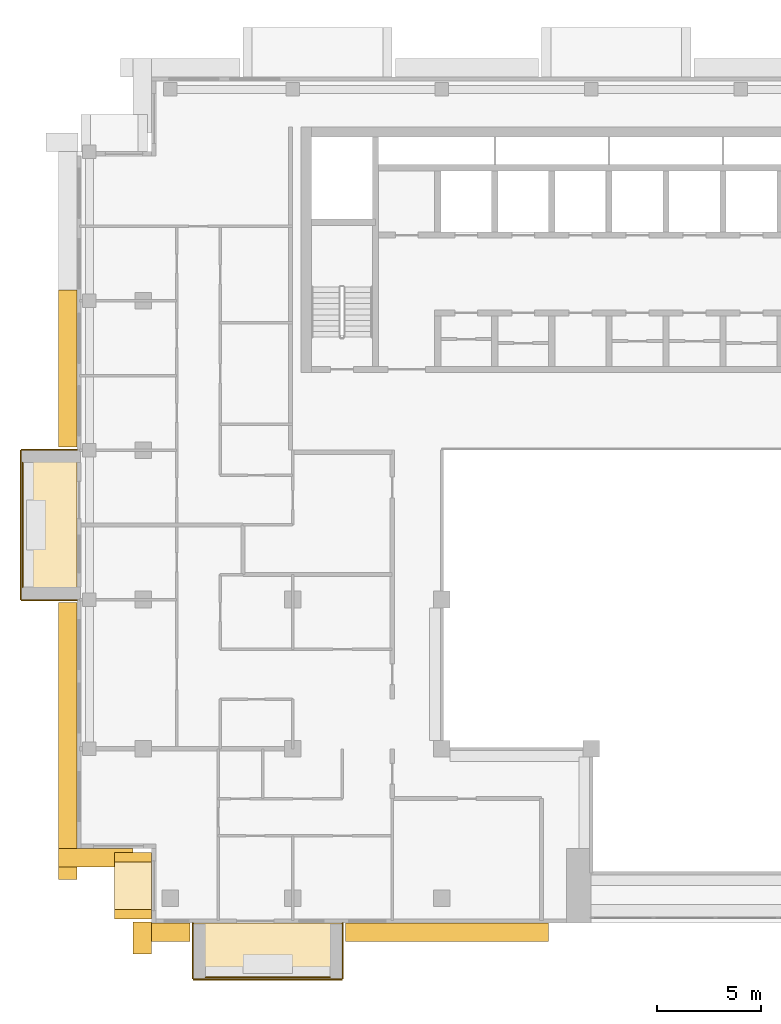
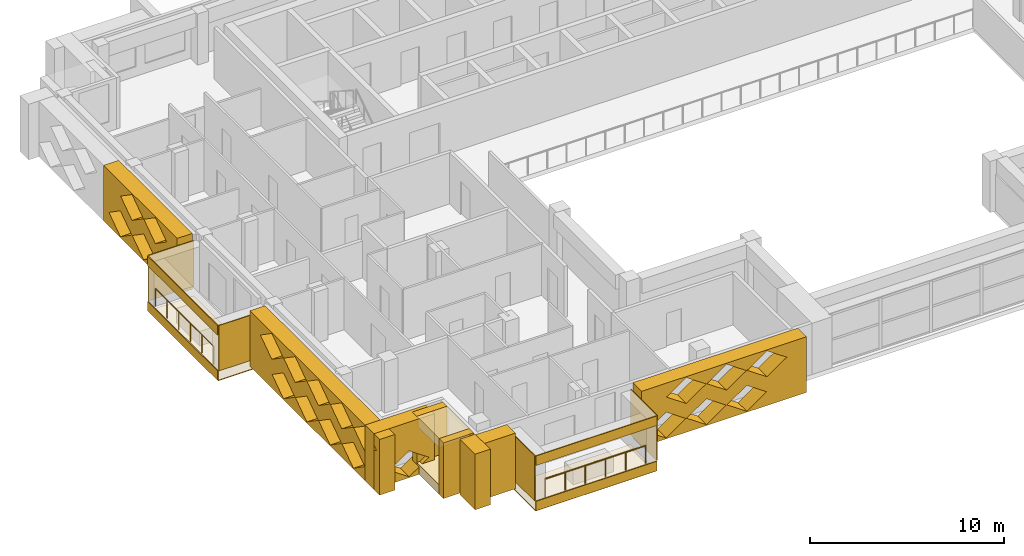
# One storey, part 13 of 19: 20 coverings, 2 railings.
"""IFC4 building model written with IfcOpenShell, lengths in metres."""

from ifc_helpers import new_model, si_unit, direction, frame, origin, origin_2d, place, context, subcontext, project, spatial, polyline, circle, outline, extrude, material, layer, layer_set, type_object, element, save


model = new_model("IFC4")

# Units and contexts
model_context = context("Model", 3, precision=1e-05, world=origin(), true_north=direction((0.0, 1.0)))
body_context = subcontext(model_context, "Body", "Model", "MODEL_VIEW")
ifc_project = project(units=[si_unit("LENGTHUNIT", "METRE"), si_unit("AREAUNIT", "SQUARE_METRE"), si_unit("VOLUMEUNIT", "CUBIC_METRE"), si_unit("PLANEANGLEUNIT", "RADIAN"), si_unit("MASSUNIT", "GRAM", prefix="KILO")], contexts=[model_context])

# Site, building, storey
site_placement = place(None, origin())
site = spatial("IfcSite", under=ifc_project, at=site_placement, CompositionType="ELEMENT")
building_placement = place(site_placement, origin())
building = spatial("IfcBuilding", under=site, at=building_placement, Name="Saffron Iwan Residences", CompositionType="ELEMENT")
storey_placement = place(building_placement, frame((0.0, 0.0, 236.0)))
storey = spatial("IfcBuildingStorey", under=building, at=storey_placement, Name="L63", CompositionType="ELEMENT", Elevation=236.0)

# Railings
ifc_material_1 = material(Name="Stainless steel 316", Category="steel")
railing_type = type_object("IfcRailingType", Name="BALCONY GUARD 1150", PredefinedType="GUARDRAIL", material=ifc_material_1)
railing_1_placement = place(storey_placement, frame((15.77490234375, 61.800048828125, 0.0)))
element("IfcRailing", 1, at=railing_1_placement, inside=storey, type_object=railing_type, Name="Balcony guard L63 F8-0", PredefinedType="GUARDRAIL", context=body_context, shape_type="SweptSolid", body=[
    extrude(circle(Radius=0.02392578125, at=origin_2d()), frame((0.0, 0.0, 1.1259765625), z_axis=(0.0, -1.0, 0.0), x_axis=(1.0, 0.0, 0.0)), (0.0, 0.0, 1.0), 6.0),
    extrude(circle(Radius=0.02099609375, at=origin_2d()), origin(), (0.0, 0.0, 1.0), 1.101806640625),
    extrude(circle(Radius=0.02099609375, at=origin_2d()), frame((0.0, -1.199951171875, 0.0)), (0.0, 0.0, 1.0), 1.101806640625),
    extrude(circle(Radius=0.02099609375, at=origin_2d()), frame((0.0, -2.39990234375, 0.0)), (0.0, 0.0, 1.0), 1.101806640625),
    extrude(circle(Radius=0.02099609375, at=origin_2d()), frame((0.0, -3.60009765625, 0.0)), (0.0, 0.0, 1.0), 1.101806640625),
    extrude(circle(Radius=0.02099609375, at=origin_2d()), frame((0.0, -4.800048828125, 0.0)), (0.0, 0.0, 1.0), 1.101806640625),
    extrude(circle(Radius=0.02099609375, at=origin_2d()), frame((0.0, -6.0, 0.0)), (0.0, 0.0, 1.0), 1.101806640625),
])
railing_2_placement = place(storey_placement, frame((24.60009765625, 36.97509765625, 0.0)))
element("IfcRailing", 2, at=railing_2_placement, inside=storey, type_object=railing_type, Name="Balcony guard L63 11-0", PredefinedType="GUARDRAIL", context=body_context, shape_type="SweptSolid", body=[
    extrude(circle(Radius=0.02392578125, at=origin_2d()), frame((0.0, 0.0, 1.1259765625), z_axis=(1.0, 0.0, 0.0), x_axis=(0.0, 1.0, 0.0)), (0.0, 0.0, 1.0), 6.0),
    extrude(circle(Radius=0.02099609375, at=origin_2d()), origin(), (0.0, 0.0, 1.0), 1.101806640625),
    extrude(circle(Radius=0.02099609375, at=origin_2d()), frame((1.199951171875, 0.0, 0.0)), (0.0, 0.0, 1.0), 1.101806640625),
    extrude(circle(Radius=0.02099609375, at=origin_2d()), frame((2.39990234375, 0.0, 0.0)), (0.0, 0.0, 1.0), 1.101806640625),
    extrude(circle(Radius=0.02099609375, at=origin_2d()), frame((3.60009765625, 0.0, 0.0)), (0.0, 0.0, 1.0), 1.101806640625),
    extrude(circle(Radius=0.02099609375, at=origin_2d()), frame((4.800048828125, 0.0, 0.0)), (0.0, 0.0, 1.0), 1.101806640625),
    extrude(circle(Radius=0.02099609375, at=origin_2d()), frame((6.0, 0.0, 0.0)), (0.0, 0.0, 1.0), 1.101806640625),
])

# Coverings
ifc_material_2 = material(Name="Precast concrete C40/50 white painted", Category="concrete")
ifc_layer = layer(ifc_material_2, 0.050048828125)
ifc_layer_set = layer_set([ifc_layer], Name="Precast concrete C40/50 white painted")
covering_type_1 = type_object("IfcCoveringType", Name="FRAME SKIN PRECAST WHITE 50", PredefinedType="CLADDING", material=ifc_layer_set)
for number, where, name in (
    (3, (0.0, 0.0, -0.60009765625), "Frame skin slab edge L63 F8-0"),
    (4, (0.0, 0.0, 2.25), "Frame skin fascia L63 F8-0"),
):
    element("IfcCovering", number, at=place(storey_placement, frame(where)), inside=storey, type_object=covering_type_1, Name=name, PredefinedType="CLADDING", context=body_context, shape_type="SweptSolid", body=[
        extrude(outline(polyline([(15.64990234375, 62.39990234375), (15.64990234375, 55.199951171875), (15.699951171875, 55.199951171875), (15.699951171875, 62.39990234375), (15.64990234375, 62.39990234375)])), origin(), (0.0, 0.0, 1.0), 0.60009765625),
    ])
covering_1_placement = place(storey_placement, frame((0.0, 0.0, -0.64990234375)))
element("IfcCovering", 5, at=covering_1_placement, inside=storey, type_object=covering_type_1, Name="Frame skin soffit L63 F8-0", PredefinedType="CLADDING", context=body_context, shape_type="SweptSolid", body=[
    extrude(outline(polyline([(15.699951171875, 62.39990234375), (15.699951171875, 55.199951171875), (18.39990234375, 55.199951171875), (18.39990234375, 62.39990234375), (15.699951171875, 62.39990234375)])), origin(), (0.0, 0.0, 1.0), 0.0498046875),
])
covering_2_placement = place(storey_placement, origin())
element("IfcCovering", 6, at=covering_2_placement, inside=storey, type_object=covering_type_1, Name="Frame skin fin L63 F8-0a", PredefinedType="CLADDING", context=body_context, shape_type="SweptSolid", body=[
    extrude(outline(polyline([(15.699951171875, 62.449951171875), (15.699951171875, 62.39990234375), (18.39990234375, 62.39990234375), (18.39990234375, 62.449951171875), (15.699951171875, 62.449951171875)])), origin(), (0.0, 0.0, 1.0), 2.85009765625),
])
covering_3_placement = place(storey_placement, origin())
element("IfcCovering", 7, at=covering_3_placement, inside=storey, type_object=covering_type_1, Name="Frame skin fin L63 F8-0b", PredefinedType="CLADDING", context=body_context, shape_type="SweptSolid", body=[
    extrude(outline(polyline([(15.699951171875, 55.199951171875), (15.699951171875, 55.14990234375), (18.39990234375, 55.14990234375), (18.39990234375, 55.199951171875), (15.699951171875, 55.199951171875)])), origin(), (0.0, 0.0, 1.0), 2.85009765625),
])
for number, where, name in (
    (8, (0.0, 0.0, -0.60009765625), "Frame skin slab edge L63 11-0"),
    (9, (0.0, 0.0, 2.25), "Frame skin fascia L63 11-0"),
):
    element("IfcCovering", number, at=place(storey_placement, frame(where)), inside=storey, type_object=covering_type_1, Name=name, PredefinedType="CLADDING", context=body_context, shape_type="SweptSolid", body=[
        extrude(outline(polyline([(24.0, 36.85009765625), (31.199951171875, 36.85009765625), (31.199951171875, 36.89990234375), (24.0, 36.89990234375), (24.0, 36.85009765625)])), origin(), (0.0, 0.0, 1.0), 0.60009765625),
    ])
covering_4_placement = place(storey_placement, frame((0.0, 0.0, -0.64990234375)))
element("IfcCovering", 10, at=covering_4_placement, inside=storey, type_object=covering_type_1, Name="Frame skin soffit L63 11-0", PredefinedType="CLADDING", context=body_context, shape_type="SweptSolid", body=[
    extrude(outline(polyline([(24.0, 36.89990234375), (31.199951171875, 36.89990234375), (31.199951171875, 39.60009765625), (24.0, 39.60009765625), (24.0, 36.89990234375)])), origin(), (0.0, 0.0, 1.0), 0.0498046875),
])
covering_5_placement = place(storey_placement, origin())
element("IfcCovering", 11, at=covering_5_placement, inside=storey, type_object=covering_type_1, Name="Frame skin fin L63 11-0a", PredefinedType="CLADDING", context=body_context, shape_type="SweptSolid", body=[
    extrude(outline(polyline([(23.949951171875, 36.89990234375), (24.0, 36.89990234375), (24.0, 39.60009765625), (23.949951171875, 39.60009765625), (23.949951171875, 36.89990234375)])), origin(), (0.0, 0.0, 1.0), 2.85009765625),
])
covering_6_placement = place(storey_placement, origin())
element("IfcCovering", 12, at=covering_6_placement, inside=storey, type_object=covering_type_1, Name="Frame skin fin L63 11-0b", PredefinedType="CLADDING", context=body_context, shape_type="SweptSolid", body=[
    extrude(outline(polyline([(31.199951171875, 36.89990234375), (31.25, 36.89990234375), (31.25, 39.60009765625), (31.199951171875, 39.60009765625), (31.199951171875, 36.89990234375)])), origin(), (0.0, 0.0, 1.0), 2.85009765625),
])
ifc_material_3 = material(Name="Precast concrete C40/50", Category="concrete")
covering_type_2 = type_object("IfcCoveringType", Name="OUTER SKIN LATTICE SCREEN", PredefinedType="CLADDING", material=ifc_material_3)
covering_7_placement = place(storey_placement, frame((18.39990234375, 70.125, -0.280029296875), z_axis=(-1.0, 0.0, 0.0), x_axis=(0.0, -1.0, 0.0)))
element("IfcCovering", 13, at=covering_7_placement, inside=storey, type_object=covering_type_2, Name="OUTER SKIN lattice screen L63 F8.1", PredefinedType="CLADDING", context=body_context, shape_type="SweptSolid", body=[
    extrude(outline(polyline([(0.0, 0.0), (7.574951171875, 0.0), (7.574951171875, 3.5), (0.0, 3.5), (0.0, 0.0)]), holes=[polyline([(0.544921875, 0.875), (1.72509765625, 0.06005859375), (2.905029296875, 0.875), (1.72509765625, 1.68994140625), (0.544921875, 0.875)]), polyline([(2.945068359375, 0.875), (4.125, 0.06005859375), (5.304931640625, 0.875), (4.125, 1.68994140625), (2.945068359375, 0.875)]), polyline([(1.7451171875, 2.625), (2.925048828125, 1.81005859375), (4.10498046875, 2.625), (2.925048828125, 3.43994140625), (1.7451171875, 2.625)]), polyline([(4.14501953125, 2.625), (5.324951171875, 1.81005859375), (6.5048828125, 2.625), (5.324951171875, 3.43994140625), (4.14501953125, 2.625)])]), origin(), (0.0, 0.0, 1.0), 0.89990234375),
])
covering_8_placement = place(storey_placement, frame((18.39990234375, 55.050048828125, -0.280029296875), z_axis=(-1.0, 0.0, 0.0), x_axis=(0.0, -1.0, 0.0)))
element("IfcCovering", 14, at=covering_8_placement, inside=storey, type_object=covering_type_2, Name="OUTER SKIN lattice screen L63 F8.2", PredefinedType="CLADDING", context=body_context, shape_type="SweptSolid", body=[
    extrude(outline(polyline([(0.0, 0.0), (13.35009765625, 0.0), (13.35009765625, 3.5), (0.0, 3.5), (0.0, 0.0)]), holes=[polyline([(2.27001953125, 0.875), (3.449951171875, 0.06005859375), (4.6298828125, 0.875), (3.449951171875, 1.68994140625), (2.27001953125, 0.875)]), polyline([(4.669921875, 0.875), (5.85009765625, 0.06005859375), (7.030029296875, 0.875), (5.85009765625, 1.68994140625), (4.669921875, 0.875)]), polyline([(7.070068359375, 0.875), (8.25, 0.06005859375), (9.429931640625, 0.875), (8.25, 1.68994140625), (7.070068359375, 0.875)]), polyline([(9.469970703125, 0.875), (10.64990234375, 0.06005859375), (11.830078125, 0.875), (10.64990234375, 1.68994140625), (9.469970703125, 0.875)]), polyline([(1.070068359375, 2.625), (2.25, 1.81005859375), (3.429931640625, 2.625), (2.25, 3.43994140625), (1.070068359375, 2.625)]), polyline([(3.469970703125, 2.625), (4.64990234375, 1.81005859375), (5.830078125, 2.625), (4.64990234375, 3.43994140625), (3.469970703125, 2.625)]), polyline([(5.8701171875, 2.625), (7.050048828125, 1.81005859375), (8.22998046875, 2.625), (7.050048828125, 3.43994140625), (5.8701171875, 2.625)]), polyline([(8.27001953125, 2.625), (9.449951171875, 1.81005859375), (10.6298828125, 2.625), (9.449951171875, 3.43994140625), (8.27001953125, 2.625)]), polyline([(10.669921875, 2.625), (11.85009765625, 1.81005859375), (13.030029296875, 2.625), (11.85009765625, 3.43994140625), (10.669921875, 2.625)])]), origin(), (0.0, 0.0, 1.0), 0.89990234375),
])
covering_9_placement = place(storey_placement, frame((17.5, 43.199951171875, -0.280029296875), z_axis=(0.0, -1.0, 0.0), x_axis=(1.0, 0.0, 0.0)))
element("IfcCovering", 15, at=covering_9_placement, inside=storey, type_object=covering_type_2, Name="OUTER SKIN lattice screen L63 F9.0", PredefinedType="CLADDING", context=body_context, shape_type="SweptSolid", body=[
    extrude(outline(polyline([(0.0, 0.0), (3.60009765625, 0.0), (3.60009765625, 3.5), (0.0, 3.5), (0.0, 0.0)]), holes=[polyline([(0.919921875, 0.875), (2.10009765625, 0.06005859375), (3.280029296875, 0.875), (2.10009765625, 1.68994140625), (0.919921875, 0.875)])]), origin(), (0.0, 0.0, 1.0), 0.89990234375),
])
covering_10_placement = place(storey_placement, frame((22.0, 39.64990234375, -0.280029296875), z_axis=(-1.0, 0.0, 0.0), x_axis=(0.0, -1.0, 0.0)))
element("IfcCovering", 16, at=covering_10_placement, inside=storey, type_object=covering_type_2, Name="OUTER SKIN lattice screen L63 F10.0", PredefinedType="CLADDING", context=body_context, shape_type="SweptSolid", body=[
    extrude(outline(polyline([(0.0, 0.0), (1.550048828125, 0.0), (1.550048828125, 3.5), (0.0, 3.5), (0.0, 0.0)])), origin(), (0.0, 0.0, 1.0), 0.89990234375),
])
covering_11_placement = place(storey_placement, frame((21.10009765625, 39.60009765625, -0.280029296875), z_axis=(0.0, -1.0, 0.0), x_axis=(1.0, 0.0, 0.0)))
element("IfcCovering", 17, at=covering_11_placement, inside=storey, type_object=covering_type_2, Name="OUTER SKIN lattice screen L63 F11.0", PredefinedType="CLADDING", context=body_context, shape_type="SweptSolid", body=[
    extrude(outline(polyline([(0.0, 0.0), (2.75, 0.0), (2.75, 3.5), (0.0, 3.5), (0.0, 0.0)])), origin(), (0.0, 0.0, 1.0), 0.900146484375),
])
covering_12_placement = place(storey_placement, frame((31.35009765625, 39.60009765625, -0.280029296875), z_axis=(0.0, -1.0, 0.0), x_axis=(1.0, 0.0, 0.0)))
element("IfcCovering", 18, at=covering_12_placement, inside=storey, type_object=covering_type_2, Name="OUTER SKIN lattice screen L63 F11.1", PredefinedType="CLADDING", context=body_context, shape_type="SweptSolid", body=[
    extrude(outline(polyline([(0.0, 0.0), (9.800048828125, 0.0), (9.800048828125, 3.5), (0.0, 3.5), (0.0, 0.0)]), holes=[polyline([(0.27001953125, 0.875), (1.449951171875, 0.06005859375), (2.6298828125, 0.875), (1.449951171875, 1.68994140625), (0.27001953125, 0.875)]), polyline([(2.669921875, 0.875), (3.85009765625, 0.06005859375), (5.030029296875, 0.875), (3.85009765625, 1.68994140625), (2.669921875, 0.875)]), polyline([(5.070068359375, 0.875), (6.25, 0.06005859375), (7.429931640625, 0.875), (6.25, 1.68994140625), (5.070068359375, 0.875)]), polyline([(1.469970703125, 2.625), (2.64990234375, 1.81005859375), (3.830078125, 2.625), (2.64990234375, 3.43994140625), (1.469970703125, 2.625)]), polyline([(3.8701171875, 2.625), (5.050048828125, 1.81005859375), (6.22998046875, 2.625), (5.050048828125, 3.43994140625), (3.8701171875, 2.625)]), polyline([(6.27001953125, 2.625), (7.449951171875, 1.81005859375), (8.6298828125, 2.625), (7.449951171875, 3.43994140625), (6.27001953125, 2.625)])]), origin(), (0.0, 0.0, 1.0), 0.900146484375),
])
covering_type_3 = type_object("IfcCoveringType", Name="WHITE SUN FRAME PRECAST", PredefinedType="CLADDING", material=ifc_material_2)
for number, where, z_axis, x_axis, name in (
    (19, (22.0, 43.0, -0.280029296875), (-1.0, 0.0, 0.0), (0.0, -1.0, 0.0), "Sun frame L63 F10 0.2a"),
    (20, (22.0, 40.25, -0.280029296875), (-1.0, 0.0, 0.0), (0.0, -1.0, 0.0), "Sun frame L63 F10 0.2b"),
):
    element("IfcCovering", number, at=place(storey_placement, frame(where, z_axis=z_axis, x_axis=x_axis)), inside=storey, type_object=covering_type_3, Name=name, PredefinedType="CLADDING", context=body_context, shape_type="SweptSolid", body=[
        extrude(outline(polyline([(0.0, 0.0), (0.449951171875, 0.0), (0.449951171875, 3.5), (0.0, 3.5), (0.0, 0.0)])), origin(), (0.0, 0.0, 1.0), 1.800048828125),
    ])
for number, where, z_axis, x_axis, name in (
    (21, (22.0, 42.550048828125, 2.6201171875), (-1.0, 0.0, 0.0), (0.0, -1.0, 0.0), "Sun frame L63 F10 0.2h"),
    (22, (22.0, 42.550048828125, -0.280029296875), (-1.0, 0.0, 0.0), (0.0, -1.0, 0.0), "Sun frame L63 F10 0.2s"),
):
    element("IfcCovering", number, at=place(storey_placement, frame(where, z_axis=z_axis, x_axis=x_axis)), inside=storey, type_object=covering_type_3, Name=name, PredefinedType="CLADDING", context=body_context, shape_type="SweptSolid", body=[
        extrude(outline(polyline([(0.0, 0.0), (2.300048828125, 0.0), (2.300048828125, 0.60009765625), (0.0, 0.60009765625), (0.0, 0.0)])), origin(), (0.0, 0.0, 1.0), 1.800048828125),
    ])

save(model, "model.ifc")
